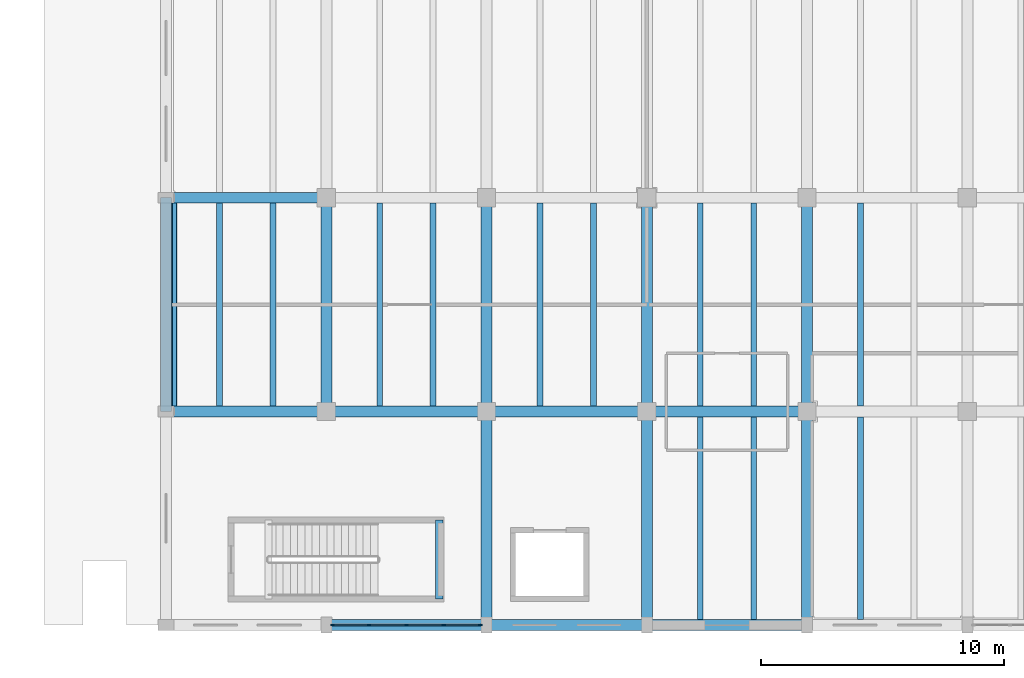
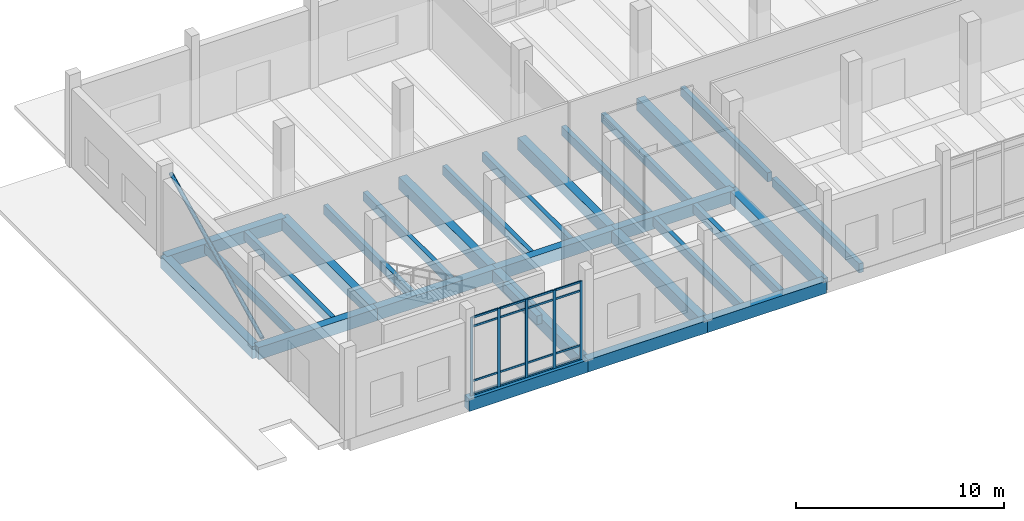
# One storey, part 10 of 72: 29 beams, 22 members, 1 element without a shape of its own.
"""IFC4 building model written with IfcOpenShell, lengths in metres."""

from ifc_helpers import new_model, si_unit, direction, frame, origin, origin_2d, place, context, subcontext, project, spatial, rectangle, hollow_circle, extrude, material, material_profile, profile_set, type_object, element, aggregate, save


model = new_model("IFC4")

# Units and contexts
model_context = context("Model", 3, precision=1e-05, world=origin(), true_north=direction((0.0, 1.0)))
body_context = subcontext(model_context, "Body", "Model", "MODEL_VIEW")
ifc_project = project(units=[si_unit("LENGTHUNIT", "METRE"), si_unit("AREAUNIT", "SQUARE_METRE"), si_unit("VOLUMEUNIT", "CUBIC_METRE"), si_unit("PLANEANGLEUNIT", "RADIAN"), si_unit("MASSUNIT", "GRAM", prefix="KILO")], contexts=[model_context])

# Site, building, storey
site_placement = place(None, origin())
site = spatial("IfcSite", under=ifc_project, at=site_placement, CompositionType="ELEMENT")
building_placement = place(site_placement, origin())
building = spatial("IfcBuilding", under=site, at=building_placement, Name="Dornvale Research Institute", CompositionType="ELEMENT")
storey_placement = place(building_placement, origin())
storey = spatial("IfcBuildingStorey", under=building, at=storey_placement, Name="L00", CompositionType="ELEMENT", Elevation=0.0)

# Beams
ifc_material_1 = material(Name="Concrete f'c 45 MPa (C35/45)", Category="concrete")
ifc_material_profile_1 = material_profile(ifc_material_1, rectangle(XDim=0.300048828125, YDim=0.5, at=origin_2d()), Name="RC 300x500")
ifc_profile_set_1 = profile_set([ifc_material_profile_1], Name="Concrete f'c 45 MPa (C35/45)")
beam_type_1 = type_object("IfcBeamType", Name="Beam_RC300x500_Trim", PredefinedType="BEAM", material=ifc_profile_set_1)
beam_1_placement = place(storey_placement, frame((110.25, 1.080078125, 2.25), z_axis=(0.0, 1.0, 0.0), x_axis=(-1.0, 0.0, 0.0)))
element("IfcBeam", 1, at=beam_1_placement, inside=storey, type_object=beam_type_1, Name="L00 ST-5 half-landing support beam #83", PredefinedType="BEAM", context=body_context, shape_type="SweptSolid", body=[
    extrude(rectangle(XDim=0.300048828125, YDim=0.5, at=origin_2d()), origin(), (0.0, 0.0, 1.0), 3.239990234375),
])
ifc_material_2 = material(Name="Concrete f'c 45 MPa (C35/45)", Category="concrete")
ifc_material_profile_2 = material_profile(ifc_material_2, rectangle(XDim=0.449951171875, YDim=0.715087890625, at=origin_2d()), Name="RC 450x715")
ifc_profile_set_2 = profile_set([ifc_material_profile_2], Name="Concrete f'c 45 MPa (C35/45)")
beam_type_2 = type_object("IfcBeamType", Name="Beam_RC450x715_Lab", PredefinedType="BEAM", material=ifc_profile_set_2)
beam_2_placement = place(storey_placement, frame((105.60009765625, 0.0, -0.357421875), z_axis=(1.0, 0.0, 0.0), x_axis=(0.0, 1.0, 0.0)))
element("IfcBeam", 2, at=beam_2_placement, inside=storey, type_object=beam_type_2, Name="L00 primary girder #132", PredefinedType="BEAM", context=body_context, shape_type="SweptSolid", body=[
    extrude(rectangle(XDim=0.449951171875, YDim=0.715087890625, at=origin_2d()), origin(), (0.0, 0.0, 1.0), 6.599853515625),
])
beam_3_placement = place(storey_placement, frame((112.199951171875, 0.0, -0.357421875), z_axis=(1.0, 0.0, 0.0), x_axis=(0.0, 1.0, 0.0)))
element("IfcBeam", 3, at=beam_3_placement, inside=storey, type_object=beam_type_2, Name="L00 primary girder #133", PredefinedType="BEAM", context=body_context, shape_type="SweptSolid", body=[
    extrude(rectangle(XDim=0.449951171875, YDim=0.715087890625, at=origin_2d()), origin(), (0.0, 0.0, 1.0), 6.60009765625),
])
beam_4_placement = place(storey_placement, frame((118.800048828125, 0.0, -0.357421875), z_axis=(1.0, 0.0, 0.0), x_axis=(0.0, 1.0, 0.0)))
element("IfcBeam", 4, at=beam_4_placement, inside=storey, type_object=beam_type_2, Name="L00 primary girder #134", PredefinedType="BEAM", context=body_context, shape_type="SweptSolid", body=[
    extrude(rectangle(XDim=0.449951171875, YDim=0.715087890625, at=origin_2d()), origin(), (0.0, 0.0, 1.0), 6.599853515625),
])
beam_5_placement = place(storey_placement, frame((99.0, 8.800048828125, -0.357421875), z_axis=(1.0, 0.0, 0.0), x_axis=(0.0, 1.0, 0.0)))
element("IfcBeam", 5, at=beam_5_placement, inside=storey, type_object=beam_type_2, Name="L00 primary girder #143", PredefinedType="BEAM", context=body_context, shape_type="SweptSolid", body=[
    extrude(rectangle(XDim=0.449951171875, YDim=0.715087890625, at=origin_2d()), origin(), (0.0, 0.0, 1.0), 6.60009765625),
])
beam_6_placement = place(storey_placement, frame((105.60009765625, 8.800048828125, -0.357421875), z_axis=(1.0, 0.0, 0.0), x_axis=(0.0, 1.0, 0.0)))
element("IfcBeam", 6, at=beam_6_placement, inside=storey, type_object=beam_type_2, Name="L00 primary girder #144", PredefinedType="BEAM", context=body_context, shape_type="SweptSolid", body=[
    extrude(rectangle(XDim=0.449951171875, YDim=0.715087890625, at=origin_2d()), origin(), (0.0, 0.0, 1.0), 6.599853515625),
])
beam_7_placement = place(storey_placement, frame((112.199951171875, 8.800048828125, -0.357421875), z_axis=(1.0, 0.0, 0.0), x_axis=(0.0, 1.0, 0.0)))
element("IfcBeam", 7, at=beam_7_placement, inside=storey, type_object=beam_type_2, Name="L00 primary girder #145", PredefinedType="BEAM", context=body_context, shape_type="SweptSolid", body=[
    extrude(rectangle(XDim=0.449951171875, YDim=0.715087890625, at=origin_2d()), origin(), (0.0, 0.0, 1.0), 6.60009765625),
])
beam_8_placement = place(storey_placement, frame((118.800048828125, 8.800048828125, -0.357421875), z_axis=(1.0, 0.0, 0.0), x_axis=(0.0, 1.0, 0.0)))
element("IfcBeam", 8, at=beam_8_placement, inside=storey, type_object=beam_type_2, Name="L00 primary girder #146", PredefinedType="BEAM", context=body_context, shape_type="SweptSolid", body=[
    extrude(rectangle(XDim=0.449951171875, YDim=0.715087890625, at=origin_2d()), origin(), (0.0, 0.0, 1.0), 6.599853515625),
])
beam_9_placement = place(storey_placement, frame((99.0, 17.60009765625, -0.357421875), z_axis=(1.0, 0.0, 0.0), x_axis=(0.0, 1.0, 0.0)))
element("IfcBeam", 9, at=beam_9_placement, inside=storey, type_object=beam_type_2, Name="L00 primary girder #155", PredefinedType="BEAM", context=body_context, shape_type="SweptSolid", body=[
    extrude(rectangle(XDim=0.449951171875, YDim=0.715087890625, at=origin_2d()), origin(), (0.0, 0.0, 1.0), 6.60009765625),
])
for number, where, z_axis, x_axis, name in (
    (10, (99.0, 8.800048828125, -0.357421875), (0.0, 1.0, 0.0), (-1.0, 0.0, 0.0), "L00 transverse girder #180"),
    (11, (105.60009765625, 8.800048828125, -0.357421875), (0.0, 1.0, 0.0), (-1.0, 0.0, 0.0), "L00 transverse girder #182"),
    (12, (112.199951171875, 0.0, -0.357421875), (0.0, 1.0, 0.0), (-1.0, 0.0, 0.0), "L00 transverse girder #184"),
    (13, (112.199951171875, 8.800048828125, -0.357421875), (0.0, 1.0, 0.0), (-1.0, 0.0, 0.0), "L00 transverse girder #185"),
    (14, (118.800048828125, 0.0, -0.357421875), (0.0, 1.0, 0.0), (-1.0, 0.0, 0.0), "L00 transverse girder #187"),
    (15, (118.800048828125, 8.800048828125, -0.357421875), (0.0, 1.0, 0.0), (-1.0, 0.0, 0.0), "L00 transverse girder #188"),
    (16, (125.39990234375, 0.0, -0.357421875), (0.0, 1.0, 0.0), (-1.0, 0.0, 0.0), "L00 transverse girder #190"),
    (17, (125.39990234375, 8.800048828125, -0.357421875), (0.0, 1.0, 0.0), (-1.0, 0.0, 0.0), "L00 transverse girder #191"),
):
    element("IfcBeam", number, at=place(storey_placement, frame(where, z_axis=z_axis, x_axis=x_axis)), inside=storey, type_object=beam_type_2, Name=name, PredefinedType="BEAM", context=body_context, shape_type="SweptSolid", body=[
        extrude(rectangle(XDim=0.449951171875, YDim=0.715087890625, at=origin_2d()), origin(), (0.0, 0.0, 1.0), 8.800048828125),
    ])

# Member
ifc_material_3 = material(Name="Steel ASTM A500 Grade C", Category="steel")
ifc_material_profile_3 = material_profile(ifc_material_3, hollow_circle(Radius=0.109619140625, WallThickness=0.0087890625, at=origin_2d()), Name="HSS219X9.5")
ifc_profile_set_3 = profile_set([ifc_material_profile_3], Name="Steel ASTM A500 Grade C")
member_type_1 = type_object("IfcMemberType", Name="Brace_HSS219_Round", PredefinedType="BRACE", material=ifc_profile_set_3)
member_1_placement = place(storey_placement, frame((99.340087890625, 8.800048828125, 0.300048828125), z_axis=(0.0, 0.896462212043, 0.44312018954), x_axis=(-1.0, 0.0, 0.0)))
element("IfcMember", 18, at=member_1_placement, inside=storey, type_object=member_type_1, Name="L00 seismic diagonal brace #50", PredefinedType="BRACE", context=body_context, shape_type="SweptSolid", body=[
    extrude(hollow_circle(Radius=0.109619140625, WallThickness=0.0087890625, at=origin_2d()), origin(), (0.0, 0.0, 1.0), 9.81640625),
])

# Beams
ifc_material_4 = material(Name="Concrete f'c 45 MPa (C35/45)", Category="concrete")
ifc_material_profile_4 = material_profile(ifc_material_4, rectangle(XDim=0.239990234375, YDim=0.534912109375, at=origin_2d()), Name="RC 240x535")
ifc_profile_set_4 = profile_set([ifc_material_profile_4], Name="Concrete f'c 45 MPa (C35/45)")
beam_type_3 = type_object("IfcBeamType", Name="Joist_RC240x535_Waffle", PredefinedType="JOIST", material=ifc_profile_set_4)
for number, where, z_axis, x_axis, name in (
    (19, (101.199951171875, 9.02490234375, -0.267578125), (0.0, 1.0, 0.0), (-1.0, 0.0, 0.0), "L00 laboratory waffle joist #77"),
    (20, (103.39990234375, 9.02490234375, -0.267578125), (0.0, 1.0, 0.0), (-1.0, 0.0, 0.0), "L00 laboratory waffle joist #78"),
    (21, (107.800048828125, 9.02490234375, -0.267578125), (0.0, 1.0, 0.0), (-1.0, 0.0, 0.0), "L00 laboratory waffle joist #81"),
    (22, (110.0, 9.02490234375, -0.267578125), (0.0, 1.0, 0.0), (-1.0, 0.0, 0.0), "L00 laboratory waffle joist #82"),
    (23, (114.39990234375, 9.02490234375, -0.267578125), (0.0, 1.0, 0.0), (-1.0, 0.0, 0.0), "L00 laboratory waffle joist #85"),
    (24, (116.60009765625, 9.02490234375, -0.267578125), (0.0, 1.0, 0.0), (-1.0, 0.0, 0.0), "L00 laboratory waffle joist #86"),
):
    element("IfcBeam", number, at=place(storey_placement, frame(where, z_axis=z_axis, x_axis=x_axis)), inside=storey, type_object=beam_type_3, Name=name, PredefinedType="JOIST", context=body_context, shape_type="SweptSolid", body=[
        extrude(rectangle(XDim=0.239990234375, YDim=0.534912109375, at=origin_2d()), origin(), (0.0, 0.0, 1.0), 8.35009765625),
    ])
for number, where, z_axis, x_axis, name in (
    (25, (121.0, 0.22509765625, -0.267578125), (0.0, 1.0, 0.0), (-1.0, 0.0, 0.0), "L00 laboratory waffle joist #89"),
    (26, (123.199951171875, 0.22509765625, -0.267578125), (0.0, 1.0, 0.0), (-1.0, 0.0, 0.0), "L00 laboratory waffle joist #90"),
):
    element("IfcBeam", number, at=place(storey_placement, frame(where, z_axis=z_axis, x_axis=x_axis)), inside=storey, type_object=beam_type_3, Name=name, PredefinedType="JOIST", context=body_context, shape_type="SweptSolid", body=[
        extrude(rectangle(XDim=0.239990234375, YDim=0.534912109375, at=origin_2d()), origin(), (0.0, 0.0, 1.0), 8.349853515625),
    ])
for number, where, z_axis, x_axis, name in (
    (27, (121.0, 9.02490234375, -0.267578125), (0.0, 1.0, 0.0), (-1.0, 0.0, 0.0), "L00 laboratory waffle joist #91"),
    (28, (123.199951171875, 9.02490234375, -0.267578125), (0.0, 1.0, 0.0), (-1.0, 0.0, 0.0), "L00 laboratory waffle joist #92"),
):
    element("IfcBeam", number, at=place(storey_placement, frame(where, z_axis=z_axis, x_axis=x_axis)), inside=storey, type_object=beam_type_3, Name=name, PredefinedType="JOIST", context=body_context, shape_type="SweptSolid", body=[
        extrude(rectangle(XDim=0.239990234375, YDim=0.534912109375, at=origin_2d()), origin(), (0.0, 0.0, 1.0), 8.35009765625),
    ])
beam_10_placement = place(storey_placement, frame((127.60009765625, 0.22509765625, -0.267578125), z_axis=(0.0, 1.0, 0.0), x_axis=(-1.0, 0.0, 0.0)))
element("IfcBeam", 29, at=beam_10_placement, inside=storey, type_object=beam_type_3, Name="L00 laboratory waffle joist #95", PredefinedType="JOIST", context=body_context, shape_type="SweptSolid", body=[
    extrude(rectangle(XDim=0.239990234375, YDim=0.534912109375, at=origin_2d()), origin(), (0.0, 0.0, 1.0), 8.349853515625),
])
beam_11_placement = place(storey_placement, frame((127.60009765625, 9.02490234375, -0.267578125), z_axis=(0.0, 1.0, 0.0), x_axis=(-1.0, 0.0, 0.0)))
element("IfcBeam", 30, at=beam_11_placement, inside=storey, type_object=beam_type_3, Name="L00 laboratory waffle joist #97", PredefinedType="JOIST", context=body_context, shape_type="SweptSolid", body=[
    extrude(rectangle(XDim=0.239990234375, YDim=0.534912109375, at=origin_2d()), origin(), (0.0, 0.0, 1.0), 8.35009765625),
])

# Curtain wall, members
ifc_material_5 = material(Name="Low-E Argon Double Insulating Glazing Unit", Category="glass")
curtain_wall_type = type_object("IfcCurtainWallType", Name="UnitisedCurtainWall_V3_6150x4600", PredefinedType="USERDEFINED", material=ifc_material_5)
curtain_wall_placement = place(storey_placement, origin())
curtain_wall = element("IfcCurtainWall", 31, at=curtain_wall_placement, inside=storey, type_object=curtain_wall_type, Name="L00 V3 unitised curtain wall CW-04 #29", ObjectType="UNITISED CURTAIN WALL", PredefinedType="USERDEFINED")
ifc_material_6 = material(Name="Anodized Aluminum AA 6063-T6 Thermally Broken Frame", Category="aluminium")
ifc_material_profile_5 = material_profile(ifc_material_6, rectangle(XDim=0.06494140625, YDim=0.14990234375, at=origin_2d()), Name="ALU MULLION 65x150")
ifc_profile_set_5 = profile_set([ifc_material_profile_5], Name="Anodized Aluminum AA 6063-T6 Thermally Broken Frame")
member_type_2 = type_object("IfcMemberType", Name="Mullion_CW_65x150", PredefinedType="MULLION", material=ifc_profile_set_5)
member_2_placement = place(storey_placement, frame((111.9423828125, 0.0, 0.0), z_axis=(0.0, 0.0, 1.0), x_axis=(0.0, -1.0, 0.0)))
member_2 = element("IfcMember", 32, at=member_2_placement, type_object=member_type_2, Name="CW-04 mullion 1", PredefinedType="MULLION", context=body_context, shape_type="SweptSolid", body=[
    extrude(rectangle(XDim=0.06494140625, YDim=0.14990234375, at=origin_2d()), origin(), (0.0, 0.0, 1.0), 4.60009765625),
])
member_3_placement = place(storey_placement, frame((110.4375, 0.0, 0.0), z_axis=(0.0, 0.0, 1.0), x_axis=(0.0, -1.0, 0.0)))
member_3 = element("IfcMember", 33, at=member_3_placement, type_object=member_type_2, Name="CW-04 mullion 2", PredefinedType="MULLION", context=body_context, shape_type="SweptSolid", body=[
    extrude(rectangle(XDim=0.06494140625, YDim=0.14990234375, at=origin_2d()), origin(), (0.0, 0.0, 1.0), 4.60009765625),
])
member_4_placement = place(storey_placement, frame((108.89990234375, 0.0, 0.0), z_axis=(0.0, 0.0, 1.0), x_axis=(0.0, -1.0, 0.0)))
member_4 = element("IfcMember", 34, at=member_4_placement, type_object=member_type_2, Name="CW-04 mullion 3", PredefinedType="MULLION", context=body_context, shape_type="SweptSolid", body=[
    extrude(rectangle(XDim=0.06494140625, YDim=0.14990234375, at=origin_2d()), origin(), (0.0, 0.0, 1.0), 4.60009765625),
])
member_5_placement = place(storey_placement, frame((107.362548828125, 0.0, 0.0), z_axis=(0.0, 0.0, 1.0), x_axis=(0.0, -1.0, 0.0)))
member_5 = element("IfcMember", 35, at=member_5_placement, type_object=member_type_2, Name="CW-04 mullion 4", PredefinedType="MULLION", context=body_context, shape_type="SweptSolid", body=[
    extrude(rectangle(XDim=0.06494140625, YDim=0.14990234375, at=origin_2d()), origin(), (0.0, 0.0, 1.0), 4.60009765625),
])
member_6_placement = place(storey_placement, frame((105.857421875, 0.0, 0.0), z_axis=(0.0, 0.0, 1.0), x_axis=(0.0, -1.0, 0.0)))
member_6 = element("IfcMember", 36, at=member_6_placement, type_object=member_type_2, Name="CW-04 mullion 5", PredefinedType="MULLION", context=body_context, shape_type="SweptSolid", body=[
    extrude(rectangle(XDim=0.06494140625, YDim=0.14990234375, at=origin_2d()), origin(), (0.0, 0.0, 1.0), 4.60009765625),
])
ifc_material_7 = material(Name="Anodized Aluminum AA 6063-T6 Thermally Broken Frame", Category="aluminium")
ifc_material_profile_6 = material_profile(ifc_material_7, rectangle(XDim=0.06494140625, YDim=0.110107421875, at=origin_2d()), Name="ALU TRANSOM 65x110")
ifc_profile_set_6 = profile_set([ifc_material_profile_6], Name="Anodized Aluminum AA 6063-T6 Thermally Broken Frame")
member_type_3 = type_object("IfcMemberType", Name="Transom_CW_65x110", PredefinedType="USERDEFINED", material=ifc_profile_set_6)
member_7_placement = place(storey_placement, frame((111.909912109375, 0.0, 0.032470703125), z_axis=(-1.0, 0.0, 0.0), x_axis=(0.0, -1.0, 0.0)))
member_7 = element("IfcMember", 37, at=member_7_placement, type_object=member_type_3, Name="CW-04 transom 1.1", ObjectType="TRANSOM", PredefinedType="USERDEFINED", context=body_context, shape_type="SweptSolid", body=[
    extrude(rectangle(XDim=0.06494140625, YDim=0.110107421875, at=origin_2d()), origin(), (0.0, 0.0, 1.0), 1.43994140625),
])
member_8_placement = place(storey_placement, frame((111.909912109375, 0.0, 0.85009765625), z_axis=(-1.0, 0.0, 0.0), x_axis=(0.0, -1.0, 0.0)))
member_8 = element("IfcMember", 38, at=member_8_placement, type_object=member_type_3, Name="CW-04 transom 1.2", ObjectType="TRANSOM", PredefinedType="USERDEFINED", context=body_context, shape_type="SweptSolid", body=[
    extrude(rectangle(XDim=0.06494140625, YDim=0.110107421875, at=origin_2d()), origin(), (0.0, 0.0, 1.0), 1.43994140625),
])
member_9_placement = place(storey_placement, frame((111.909912109375, 0.0, 4.050048828125), z_axis=(-1.0, 0.0, 0.0), x_axis=(0.0, -1.0, 0.0)))
member_9 = element("IfcMember", 39, at=member_9_placement, type_object=member_type_3, Name="CW-04 transom 1.3", ObjectType="TRANSOM", PredefinedType="USERDEFINED", context=body_context, shape_type="SweptSolid", body=[
    extrude(rectangle(XDim=0.06494140625, YDim=0.110107421875, at=origin_2d()), origin(), (0.0, 0.0, 1.0), 1.43994140625),
])
member_10_placement = place(storey_placement, frame((111.909912109375, 0.0, 4.5673828125), z_axis=(-1.0, 0.0, 0.0), x_axis=(0.0, -1.0, 0.0)))
member_10 = element("IfcMember", 40, at=member_10_placement, type_object=member_type_3, Name="CW-04 transom 1.4", ObjectType="TRANSOM", PredefinedType="USERDEFINED", context=body_context, shape_type="SweptSolid", body=[
    extrude(rectangle(XDim=0.06494140625, YDim=0.110107421875, at=origin_2d()), origin(), (0.0, 0.0, 1.0), 1.43994140625),
])
member_11_placement = place(storey_placement, frame((110.405029296875, 0.0, 0.032470703125), z_axis=(-1.0, 0.0, 0.0), x_axis=(0.0, -1.0, 0.0)))
member_11 = element("IfcMember", 41, at=member_11_placement, type_object=member_type_3, Name="CW-04 transom 2.1", ObjectType="TRANSOM", PredefinedType="USERDEFINED", context=body_context, shape_type="SweptSolid", body=[
    extrude(rectangle(XDim=0.06494140625, YDim=0.110107421875, at=origin_2d()), origin(), (0.0, 0.0, 1.0), 1.472412109375),
])
member_12_placement = place(storey_placement, frame((110.405029296875, 0.0, 0.85009765625), z_axis=(-1.0, 0.0, 0.0), x_axis=(0.0, -1.0, 0.0)))
member_12 = element("IfcMember", 42, at=member_12_placement, type_object=member_type_3, Name="CW-04 transom 2.2", ObjectType="TRANSOM", PredefinedType="USERDEFINED", context=body_context, shape_type="SweptSolid", body=[
    extrude(rectangle(XDim=0.06494140625, YDim=0.110107421875, at=origin_2d()), origin(), (0.0, 0.0, 1.0), 1.472412109375),
])
member_13_placement = place(storey_placement, frame((110.405029296875, 0.0, 4.050048828125), z_axis=(-1.0, 0.0, 0.0), x_axis=(0.0, -1.0, 0.0)))
member_13 = element("IfcMember", 43, at=member_13_placement, type_object=member_type_3, Name="CW-04 transom 2.3", ObjectType="TRANSOM", PredefinedType="USERDEFINED", context=body_context, shape_type="SweptSolid", body=[
    extrude(rectangle(XDim=0.06494140625, YDim=0.110107421875, at=origin_2d()), origin(), (0.0, 0.0, 1.0), 1.472412109375),
])
member_14_placement = place(storey_placement, frame((110.405029296875, 0.0, 4.5673828125), z_axis=(-1.0, 0.0, 0.0), x_axis=(0.0, -1.0, 0.0)))
member_14 = element("IfcMember", 44, at=member_14_placement, type_object=member_type_3, Name="CW-04 transom 2.4", ObjectType="TRANSOM", PredefinedType="USERDEFINED", context=body_context, shape_type="SweptSolid", body=[
    extrude(rectangle(XDim=0.06494140625, YDim=0.110107421875, at=origin_2d()), origin(), (0.0, 0.0, 1.0), 1.472412109375),
])
member_15_placement = place(storey_placement, frame((108.867431640625, 0.0, 0.032470703125), z_axis=(-1.0, 0.0, 0.0), x_axis=(0.0, -1.0, 0.0)))
member_15 = element("IfcMember", 45, at=member_15_placement, type_object=member_type_3, Name="CW-04 transom 3.1", ObjectType="TRANSOM", PredefinedType="USERDEFINED", context=body_context, shape_type="SweptSolid", body=[
    extrude(rectangle(XDim=0.06494140625, YDim=0.110107421875, at=origin_2d()), origin(), (0.0, 0.0, 1.0), 1.472412109375),
])
member_16_placement = place(storey_placement, frame((108.867431640625, 0.0, 0.85009765625), z_axis=(-1.0, 0.0, 0.0), x_axis=(0.0, -1.0, 0.0)))
member_16 = element("IfcMember", 46, at=member_16_placement, type_object=member_type_3, Name="CW-04 transom 3.2", ObjectType="TRANSOM", PredefinedType="USERDEFINED", context=body_context, shape_type="SweptSolid", body=[
    extrude(rectangle(XDim=0.06494140625, YDim=0.110107421875, at=origin_2d()), origin(), (0.0, 0.0, 1.0), 1.472412109375),
])
member_17_placement = place(storey_placement, frame((108.867431640625, 0.0, 4.050048828125), z_axis=(-1.0, 0.0, 0.0), x_axis=(0.0, -1.0, 0.0)))
member_17 = element("IfcMember", 47, at=member_17_placement, type_object=member_type_3, Name="CW-04 transom 3.3", ObjectType="TRANSOM", PredefinedType="USERDEFINED", context=body_context, shape_type="SweptSolid", body=[
    extrude(rectangle(XDim=0.06494140625, YDim=0.110107421875, at=origin_2d()), origin(), (0.0, 0.0, 1.0), 1.472412109375),
])
member_18_placement = place(storey_placement, frame((108.867431640625, 0.0, 4.5673828125), z_axis=(-1.0, 0.0, 0.0), x_axis=(0.0, -1.0, 0.0)))
member_18 = element("IfcMember", 48, at=member_18_placement, type_object=member_type_3, Name="CW-04 transom 3.4", ObjectType="TRANSOM", PredefinedType="USERDEFINED", context=body_context, shape_type="SweptSolid", body=[
    extrude(rectangle(XDim=0.06494140625, YDim=0.110107421875, at=origin_2d()), origin(), (0.0, 0.0, 1.0), 1.472412109375),
])
member_19_placement = place(storey_placement, frame((107.330078125, 0.0, 0.032470703125), z_axis=(-1.0, 0.0, 0.0), x_axis=(0.0, -1.0, 0.0)))
member_19 = element("IfcMember", 49, at=member_19_placement, type_object=member_type_3, Name="CW-04 transom 4.1", ObjectType="TRANSOM", PredefinedType="USERDEFINED", context=body_context, shape_type="SweptSolid", body=[
    extrude(rectangle(XDim=0.06494140625, YDim=0.110107421875, at=origin_2d()), origin(), (0.0, 0.0, 1.0), 1.440185546875),
])
member_20_placement = place(storey_placement, frame((107.330078125, 0.0, 0.85009765625), z_axis=(-1.0, 0.0, 0.0), x_axis=(0.0, -1.0, 0.0)))
member_20 = element("IfcMember", 50, at=member_20_placement, type_object=member_type_3, Name="CW-04 transom 4.2", ObjectType="TRANSOM", PredefinedType="USERDEFINED", context=body_context, shape_type="SweptSolid", body=[
    extrude(rectangle(XDim=0.06494140625, YDim=0.110107421875, at=origin_2d()), origin(), (0.0, 0.0, 1.0), 1.440185546875),
])
member_21_placement = place(storey_placement, frame((107.330078125, 0.0, 4.050048828125), z_axis=(-1.0, 0.0, 0.0), x_axis=(0.0, -1.0, 0.0)))
member_21 = element("IfcMember", 51, at=member_21_placement, type_object=member_type_3, Name="CW-04 transom 4.3", ObjectType="TRANSOM", PredefinedType="USERDEFINED", context=body_context, shape_type="SweptSolid", body=[
    extrude(rectangle(XDim=0.06494140625, YDim=0.110107421875, at=origin_2d()), origin(), (0.0, 0.0, 1.0), 1.440185546875),
])
member_22_placement = place(storey_placement, frame((107.330078125, 0.0, 4.5673828125), z_axis=(-1.0, 0.0, 0.0), x_axis=(0.0, -1.0, 0.0)))
member_22 = element("IfcMember", 52, at=member_22_placement, type_object=member_type_3, Name="CW-04 transom 4.4", ObjectType="TRANSOM", PredefinedType="USERDEFINED", context=body_context, shape_type="SweptSolid", body=[
    extrude(rectangle(XDim=0.06494140625, YDim=0.110107421875, at=origin_2d()), origin(), (0.0, 0.0, 1.0), 1.440185546875),
])
aggregate(curtain_wall, [member_2, member_3, member_4, member_5, member_6, member_7, member_8, member_9, member_10, member_11, member_12, member_13, member_14, member_15, member_16, member_17, member_18, member_19, member_20, member_21, member_22])

save(model, "model.ifc")
